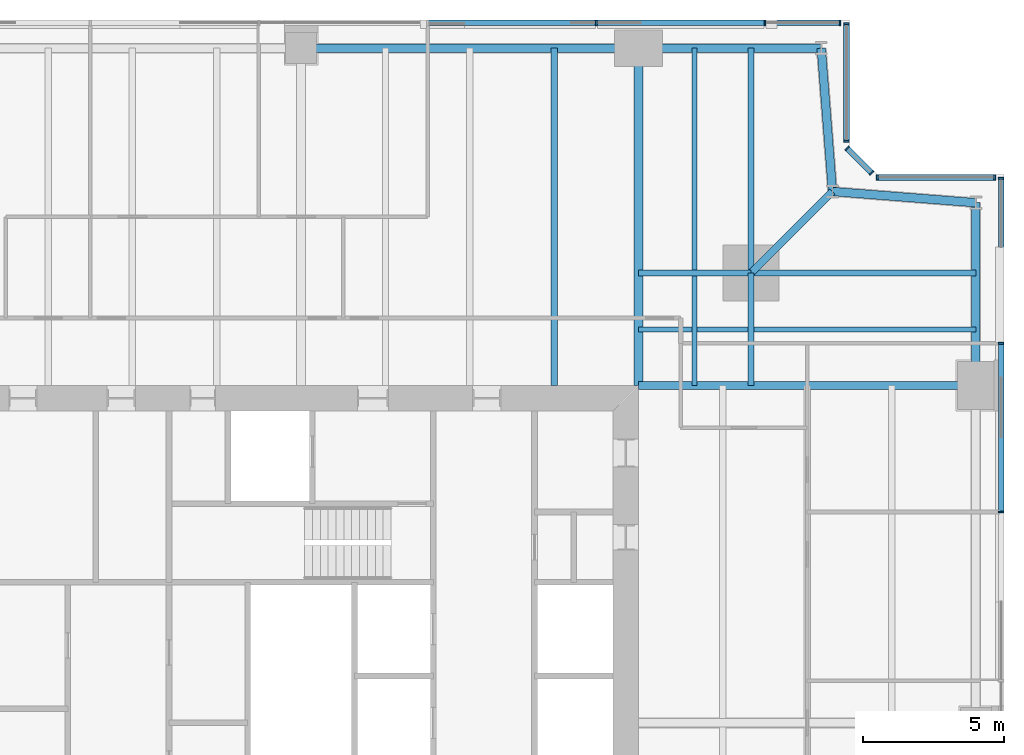
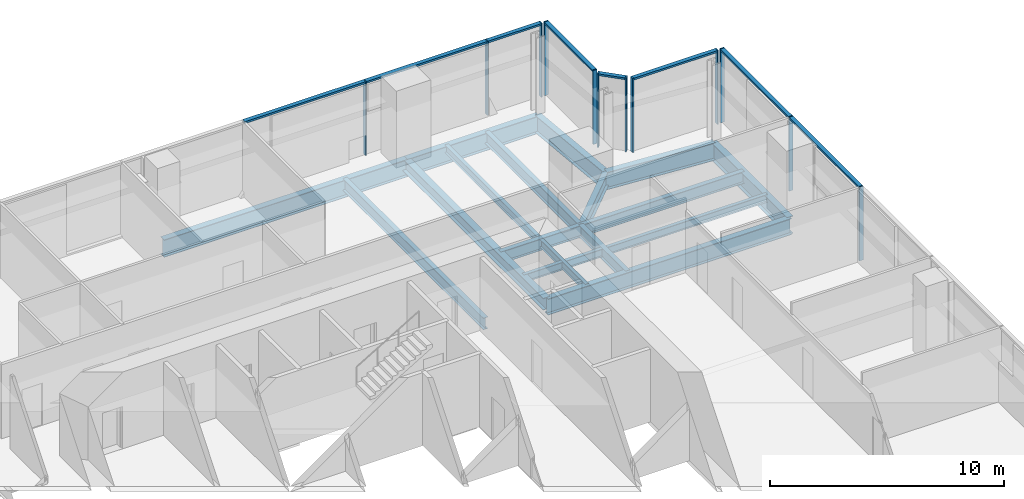
# One storey, part 7 of 14: 20 members, 18 beams, 5 elements without a shape of their own.
"""IFC4 building model written with IfcOpenShell, lengths in metres."""

from ifc_helpers import new_model, si_unit, direction, frame, origin, origin_2d, place, context, subcontext, project, spatial, rectangle, i_section, extrude, material, material_profile, profile_set, type_object, element, aggregate, save


model = new_model("IFC4")

# Units and contexts
model_context = context("Model", 3, precision=1e-05, world=origin(), true_north=direction((0.0, 1.0)))
body_context = subcontext(model_context, "Body", "Model", "MODEL_VIEW")
ifc_project = project(units=[si_unit("LENGTHUNIT", "METRE"), si_unit("AREAUNIT", "SQUARE_METRE"), si_unit("VOLUMEUNIT", "CUBIC_METRE"), si_unit("PLANEANGLEUNIT", "RADIAN"), si_unit("MASSUNIT", "GRAM", prefix="KILO")], contexts=[model_context])

# Site, building, storey
site_placement = place(None, origin())
site = spatial("IfcSite", under=ifc_project, at=site_placement, CompositionType="ELEMENT")
building_placement = place(site_placement, origin())
building = spatial("IfcBuilding", under=site, at=building_placement, Name="Fenwick Lantern Interchange", CompositionType="ELEMENT")
storey_placement = place(building_placement, frame((0.0, 0.0, 225.800048828125)))
storey = spatial("IfcBuildingStorey", under=building, at=storey_placement, Name="L53", CompositionType="ELEMENT", Elevation=225.800048828125)

# Beams
ifc_material_1 = material(Name="Steel ASTM A992 Grade 50", Category="steel")
ifc_material_profile_1 = material_profile(ifc_material_1, i_section(OverallWidth=0.3046875, OverallDepth=0.911865234375, WebThickness=0.015869140625, FlangeThickness=0.02392578125, at=origin_2d()), Name="W36X150")
ifc_profile_set_1 = profile_set([ifc_material_profile_1], Name="Steel ASTM A992 Grade 50")
beam_type_1 = type_object("IfcBeamType", Name="EDGE BEAM W36X150", PredefinedType="SPANDREL", material=ifc_profile_set_1)
beam_1_placement = place(storey_placement, frame((49.0, 37.0, -0.60595703125), z_axis=(0.0, 1.0, 0.0), x_axis=(-1.0, 0.0, 0.0)))
element("IfcBeam", 1, at=beam_1_placement, inside=storey, type_object=beam_type_1, Name="L53/FR/E/EB4", PredefinedType="SPANDREL", context=body_context, shape_type="SweptSolid", body=[
    extrude(i_section(OverallWidth=0.3046875, OverallDepth=0.911865234375, WebThickness=0.015869140625, FlangeThickness=0.02392578125, at=origin_2d()), origin(), (0.0, 0.0, 1.0), 6.5),
])
for number, where, z_axis, x_axis, name in (
    (2, (49.0, 43.5, -0.60595703125), (-0.99693998236, 0.078170784639, 0.0), (-0.078170784639, -0.99693998236, 0.0), "L53/FR/E/EBR1"),
    (3, (43.89990234375, 43.89990234375, -0.60595703125), (-0.078170784639, 0.99693998236, 0.0), (-0.99693998236, -0.078170784639, 0.0), "L53/FR/E/EBR2"),
):
    element("IfcBeam", number, at=place(storey_placement, frame(where, z_axis=z_axis, x_axis=x_axis)), inside=storey, type_object=beam_type_1, Name=name, PredefinedType="SPANDREL", context=body_context, shape_type="SweptSolid", body=[
        extrude(i_section(OverallWidth=0.3046875, OverallDepth=0.911865234375, WebThickness=0.015869140625, FlangeThickness=0.02392578125, at=origin_2d()), origin(), (0.0, 0.0, 1.0), 5.11572265625),
    ])
beam_2_placement = place(storey_placement, frame((43.5, 49.0, -0.60595703125), z_axis=(-1.0, 0.0, 0.0), x_axis=(0.0, -1.0, 0.0)))
element("IfcBeam", 4, at=beam_2_placement, inside=storey, type_object=beam_type_1, Name="L53/FR/N/EB1", PredefinedType="SPANDREL", context=body_context, shape_type="SweptSolid", body=[
    extrude(i_section(OverallWidth=0.3046875, OverallDepth=0.911865234375, WebThickness=0.015869140625, FlangeThickness=0.02392578125, at=origin_2d()), origin(), (0.0, 0.0, 1.0), 6.5),
])
beam_3_placement = place(storey_placement, frame((37.0, 49.0, -0.60595703125), z_axis=(-1.0, 0.0, 0.0), x_axis=(0.0, -1.0, 0.0)))
element("IfcBeam", 5, at=beam_3_placement, inside=storey, type_object=beam_type_1, Name="L53/FR/N/EB2", PredefinedType="SPANDREL", context=body_context, shape_type="SweptSolid", body=[
    extrude(i_section(OverallWidth=0.3046875, OverallDepth=0.911865234375, WebThickness=0.015869140625, FlangeThickness=0.02392578125, at=origin_2d()), origin(), (0.0, 0.0, 1.0), 12.0),
])
ifc_material_profile_2 = material_profile(ifc_material_1, i_section(OverallWidth=0.22900390625, OverallDepth=0.612060546875, WebThickness=0.011962890625, FlangeThickness=0.01953125, at=origin_2d()), Name="W24X84")
ifc_profile_set_2 = profile_set([ifc_material_profile_2], Name="Steel ASTM A992 Grade 50")
beam_type_2 = type_object("IfcBeamType", Name="FLOOR BEAM W24X84", PredefinedType="BEAM", material=ifc_profile_set_2)
beam_4_placement = place(storey_placement, frame((34.0, 49.0, -0.4560546875), z_axis=(0.0, -1.0, 0.0), x_axis=(1.0, 0.0, 0.0)))
element("IfcBeam", 6, at=beam_4_placement, inside=storey, type_object=beam_type_2, Name="L53/FR/N/R02", PredefinedType="BEAM", context=body_context, shape_type="SweptSolid", body=[
    extrude(i_section(OverallWidth=0.22900390625, OverallDepth=0.612060546875, WebThickness=0.011962890625, FlangeThickness=0.01953125, at=origin_2d()), origin(), (0.0, 0.0, 1.0), 12.0),
])
ifc_material_profile_3 = material_profile(ifc_material_1, i_section(OverallWidth=0.177734375, OverallDepth=0.406494140625, WebThickness=0.0078125, FlangeThickness=0.012939453125, at=origin_2d()), Name="W16X40")
ifc_profile_set_3 = profile_set([ifc_material_profile_3], Name="Steel ASTM A992 Grade 50")
beam_type_3 = type_object("IfcBeamType", Name="INFILL BEAM W16X40", PredefinedType="JOIST", material=ifc_profile_set_3)
beam_5_placement = place(storey_placement, frame((39.0, 49.0, -0.353271484375), z_axis=(0.0, -1.0, 0.0), x_axis=(1.0, 0.0, 0.0)))
element("IfcBeam", 7, at=beam_5_placement, inside=storey, type_object=beam_type_3, Name="L53/FR/N/J1", PredefinedType="JOIST", context=body_context, shape_type="SweptSolid", body=[
    extrude(i_section(OverallWidth=0.177734375, OverallDepth=0.406494140625, WebThickness=0.0078125, FlangeThickness=0.012939453125, at=origin_2d()), origin(), (0.0, 0.0, 1.0), 7.885498046875),
])
beam_6_placement = place(storey_placement, frame((39.0, 40.885498046875, -0.353271484375), z_axis=(0.0, -1.0, 0.0), x_axis=(1.0, 0.0, 0.0)))
element("IfcBeam", 8, at=beam_6_placement, inside=storey, type_object=beam_type_3, Name="L53/FR/N/J2", PredefinedType="JOIST", context=body_context, shape_type="SweptSolid", body=[
    extrude(i_section(OverallWidth=0.177734375, OverallDepth=0.406494140625, WebThickness=0.0078125, FlangeThickness=0.012939453125, at=origin_2d()), origin(), (0.0, 0.0, 1.0), 3.885498046875),
])
beam_7_placement = place(storey_placement, frame((49.0, 39.0, -0.353271484375), z_axis=(-1.0, 0.0, 0.0), x_axis=(0.0, -1.0, 0.0)))
element("IfcBeam", 9, at=beam_7_placement, inside=storey, type_object=beam_type_3, Name="L53/FR/N/J3", PredefinedType="JOIST", context=body_context, shape_type="SweptSolid", body=[
    extrude(i_section(OverallWidth=0.177734375, OverallDepth=0.406494140625, WebThickness=0.0078125, FlangeThickness=0.012939453125, at=origin_2d()), origin(), (0.0, 0.0, 1.0), 7.885498046875),
])
beam_8_placement = place(storey_placement, frame((40.885498046875, 39.0, -0.353271484375), z_axis=(-1.0, 0.0, 0.0), x_axis=(0.0, -1.0, 0.0)))
element("IfcBeam", 10, at=beam_8_placement, inside=storey, type_object=beam_type_3, Name="L53/FR/N/J4", PredefinedType="JOIST", context=body_context, shape_type="SweptSolid", body=[
    extrude(i_section(OverallWidth=0.177734375, OverallDepth=0.406494140625, WebThickness=0.0078125, FlangeThickness=0.012939453125, at=origin_2d()), origin(), (0.0, 0.0, 1.0), 1.796630859375),
])
beam_9_placement = place(storey_placement, frame((38.9111328125, 39.0, -0.353271484375), z_axis=(-1.0, 0.0, 0.0), x_axis=(0.0, -1.0, 0.0)))
element("IfcBeam", 11, at=beam_9_placement, inside=storey, type_object=beam_type_3, Name="L53/FR/N/J5", PredefinedType="JOIST", context=body_context, shape_type="SweptSolid", body=[
    extrude(i_section(OverallWidth=0.177734375, OverallDepth=0.406494140625, WebThickness=0.0078125, FlangeThickness=0.012939453125, at=origin_2d()), origin(), (0.0, 0.0, 1.0), 1.9111328125),
])
ifc_material_profile_4 = material_profile(ifc_material_1, i_section(OverallWidth=0.22900390625, OverallDepth=0.612060546875, WebThickness=0.011962890625, FlangeThickness=0.01953125, at=origin_2d()), Name="W24X84")
ifc_profile_set_4 = profile_set([ifc_material_profile_4], Name="Steel ASTM A992 Grade 50")
beam_type_4 = type_object("IfcBeamType", Name="MEGA COLUMN BEAM W24X84", PredefinedType="BEAM", material=ifc_profile_set_4)
for number, where, z_axis, x_axis, name in (
    (12, (41.0, 41.0, -0.4560546875), (0.0, 1.0, 0.0), (-1.0, 0.0, 0.0), "L53/FR/N/MB1"),
    (13, (41.0, 41.0, -0.4560546875), (1.0, 0.0, 0.0), (0.0, 1.0, 0.0), "L53/FR/N/MB2"),
):
    element("IfcBeam", number, at=place(storey_placement, frame(where, z_axis=z_axis, x_axis=x_axis)), inside=storey, type_object=beam_type_4, Name=name, PredefinedType="BEAM", context=body_context, shape_type="SweptSolid", body=[
        extrude(i_section(OverallWidth=0.22900390625, OverallDepth=0.612060546875, WebThickness=0.011962890625, FlangeThickness=0.01953125, at=origin_2d()), origin(), (0.0, 0.0, 1.0), 8.0),
    ])
for number, where, z_axis, x_axis, name in (
    (14, (41.0, 41.0, -0.4560546875), (-1.0, 0.0, 0.0), (0.0, -1.0, 0.0), "L53/FR/N/MB3"),
    (15, (41.0, 41.0, -0.4560546875), (0.0, -1.0, 0.0), (1.0, 0.0, 0.0), "L53/FR/N/MB4"),
):
    element("IfcBeam", number, at=place(storey_placement, frame(where, z_axis=z_axis, x_axis=x_axis)), inside=storey, type_object=beam_type_4, Name=name, PredefinedType="BEAM", context=body_context, shape_type="SweptSolid", body=[
        extrude(i_section(OverallWidth=0.22900390625, OverallDepth=0.612060546875, WebThickness=0.011962890625, FlangeThickness=0.01953125, at=origin_2d()), origin(), (0.0, 0.0, 1.0), 4.0),
    ])
ifc_material_profile_5 = material_profile(ifc_material_1, i_section(OverallWidth=0.32763671875, OverallDepth=0.622314453125, WebThickness=0.015380859375, FlangeThickness=0.0244140625, at=origin_2d()), Name="W24X131")
ifc_profile_set_5 = profile_set([ifc_material_profile_5], Name="Steel ASTM A992 Grade 50")
beam_type_5 = type_object("IfcBeamType", Name="MOMENT-CONNECTED GIRDER W24X131", PredefinedType="BEAM", material=ifc_profile_set_5)
beam_10_placement = place(storey_placement, frame((37.0, 49.0, -0.461181640625), z_axis=(0.0, -1.0, 0.0), x_axis=(1.0, 0.0, 0.0)))
element("IfcBeam", 16, at=beam_10_placement, inside=storey, type_object=beam_type_5, Name="L53/FR/N/R01", PredefinedType="BEAM", context=body_context, shape_type="SweptSolid", body=[
    extrude(i_section(OverallWidth=0.32763671875, OverallDepth=0.622314453125, WebThickness=0.015380859375, FlangeThickness=0.0244140625, at=origin_2d()), origin(), (0.0, 0.0, 1.0), 12.0),
])
ifc_material_profile_6 = material_profile(ifc_material_1, i_section(OverallWidth=0.2919921875, OverallDepth=0.845703125, WebThickness=0.015380859375, FlangeThickness=0.0244140625, at=origin_2d()), Name="W33X141")
ifc_profile_set_6 = profile_set([ifc_material_profile_6], Name="Steel ASTM A992 Grade 50")
beam_type_6 = type_object("IfcBeamType", Name="MOMENT-CONNECTED GIRDER W33X141", PredefinedType="BEAM", material=ifc_profile_set_6)
beam_11_placement = place(storey_placement, frame((49.0, 37.0, -0.572998046875), z_axis=(-1.0, 0.0, 0.0), x_axis=(0.0, -1.0, 0.0)))
element("IfcBeam", 17, at=beam_11_placement, inside=storey, type_object=beam_type_6, Name="L53/FR/E/R03", PredefinedType="BEAM", context=body_context, shape_type="SweptSolid", body=[
    extrude(i_section(OverallWidth=0.2919921875, OverallDepth=0.845703125, WebThickness=0.015380859375, FlangeThickness=0.0244140625, at=origin_2d()), origin(), (0.0, 0.0, 1.0), 12.0),
])
ifc_material_profile_7 = material_profile(ifc_material_1, i_section(OverallWidth=0.2666015625, OverallDepth=0.7568359375, WebThickness=0.013916015625, FlangeThickness=0.019287109375, at=origin_2d()), Name="W30X108")
ifc_profile_set_7 = profile_set([ifc_material_profile_7], Name="Steel ASTM A992 Grade 50")
beam_type_7 = type_object("IfcBeamType", Name="NOTCH BEAM W30X108", PredefinedType="BEAM", material=ifc_profile_set_7)
beam_12_placement = place(storey_placement, frame((41.0, 41.0, -0.528564453125), z_axis=(0.707106781187, 0.707106781187, 0.0), x_axis=(-0.707106781187, 0.707106781187, 0.0)))
element("IfcBeam", 18, at=beam_12_placement, inside=storey, type_object=beam_type_7, Name="L53/FR/N/TG", PredefinedType="BEAM", context=body_context, shape_type="SweptSolid", body=[
    extrude(i_section(OverallWidth=0.2666015625, OverallDepth=0.7568359375, WebThickness=0.013916015625, FlangeThickness=0.019287109375, at=origin_2d()), origin(), (0.0, 0.0, 1.0), 4.10107421875),
])

# Curtain wall, members
ifc_material_2 = material(Name="Aluminium curtain wall frame", Category="aluminium")
curtain_wall_type = type_object("IfcCurtainWallType", Name="OFFICE CURTAIN WALL", PredefinedType="USERDEFINED", material=ifc_material_2)
curtain_wall_1_placement = place(storey_placement, origin())
curtain_wall_1 = element("IfcCurtainWall", 19, at=curtain_wall_1_placement, inside=storey, type_object=curtain_wall_type, Name="Office curtain wall 05", ObjectType="OFFICE CURTAIN WALL", PredefinedType="USERDEFINED")
ifc_material_3 = material(Name="Aluminium extrusion", Category="aluminium")
ifc_material_profile_8 = material_profile(ifc_material_3, rectangle(XDim=0.199951171875, YDim=0.06494140625, at=origin_2d()), Name="OFFICE CURTAIN WALL MULLION 65 X 200")
ifc_profile_set_8 = profile_set([ifc_material_profile_8], Name="Aluminium extrusion")
member_type_1 = type_object("IfcMemberType", Name="OFFICE CURTAIN WALL MULLION 65 X 200", PredefinedType="MULLION", material=ifc_profile_set_8)
member_1_placement = place(storey_placement, frame((49.89990234375, 32.5, 0.0), z_axis=(0.0, 0.0, 1.0), x_axis=(-1.0, 0.0, 0.0)))
member_1 = element("IfcMember", 20, at=member_1_placement, type_object=member_type_1, Name="L53/CW/05/M05", PredefinedType="MULLION", context=body_context, shape_type="SweptSolid", body=[
    extrude(rectangle(XDim=0.199951171875, YDim=0.06494140625, at=origin_2d()), origin(), (0.0, 0.0, 1.0), 3.849853515625),
])
member_2_placement = place(storey_placement, frame((49.89990234375, 38.5, 0.0), z_axis=(0.0, 0.0, 1.0), x_axis=(-1.0, 0.0, 0.0)))
member_2 = element("IfcMember", 21, at=member_2_placement, type_object=member_type_1, Name="L53/CW/05/M06", PredefinedType="MULLION", context=body_context, shape_type="SweptSolid", body=[
    extrude(rectangle(XDim=0.199951171875, YDim=0.06494140625, at=origin_2d()), origin(), (0.0, 0.0, 1.0), 3.849853515625),
])
member_3_placement = place(storey_placement, frame((49.89990234375, 44.367431640625, 0.0), z_axis=(0.0, 0.0, 1.0), x_axis=(-1.0, 0.0, 0.0)))
member_3 = element("IfcMember", 22, at=member_3_placement, type_object=member_type_1, Name="L53/CW/05/M07", PredefinedType="MULLION", context=body_context, shape_type="SweptSolid", body=[
    extrude(rectangle(XDim=0.199951171875, YDim=0.06494140625, at=origin_2d()), origin(), (0.0, 0.0, 1.0), 3.849853515625),
])

curtain_wall_2_placement = place(storey_placement, origin())
curtain_wall_2 = element("IfcCurtainWall", 23, at=curtain_wall_2_placement, inside=storey, type_object=curtain_wall_type, Name="Office curtain wall 06", ObjectType="OFFICE CURTAIN WALL", PredefinedType="USERDEFINED")
member_4_placement = place(storey_placement, frame((49.66748046875, 44.39990234375, 0.0), z_axis=(0.0, 0.0, 1.0), x_axis=(0.0, -1.0, 0.0)))
member_4 = element("IfcMember", 24, at=member_4_placement, type_object=member_type_1, Name="L53/CW/06/M00", PredefinedType="MULLION", context=body_context, shape_type="SweptSolid", body=[
    extrude(rectangle(XDim=0.199951171875, YDim=0.06494140625, at=origin_2d()), origin(), (0.0, 0.0, 1.0), 3.849853515625),
])
member_5_placement = place(storey_placement, frame((45.490966796875, 44.39990234375, 0.0), z_axis=(0.0, 0.0, 1.0), x_axis=(0.0, -1.0, 0.0)))
member_5 = element("IfcMember", 25, at=member_5_placement, type_object=member_type_1, Name="L53/CW/06/M01", PredefinedType="MULLION", context=body_context, shape_type="SweptSolid", body=[
    extrude(rectangle(XDim=0.199951171875, YDim=0.06494140625, at=origin_2d()), origin(), (0.0, 0.0, 1.0), 3.849853515625),
])

curtain_wall_3_placement = place(storey_placement, origin())
curtain_wall_3 = element("IfcCurtainWall", 26, at=curtain_wall_3_placement, inside=storey, type_object=curtain_wall_type, Name="Office curtain wall 07", ObjectType="OFFICE CURTAIN WALL", PredefinedType="USERDEFINED")
member_6_placement = place(storey_placement, frame((45.294189453125, 44.564453125, 0.0), z_axis=(0.0, 0.0, 1.0), x_axis=(-0.707106781187, -0.707106781187, 0.0)))
member_6 = element("IfcMember", 27, at=member_6_placement, type_object=member_type_1, Name="L53/CW/07/M00", PredefinedType="MULLION", context=body_context, shape_type="SweptSolid", body=[
    extrude(rectangle(XDim=0.199951171875, YDim=0.06494140625, at=origin_2d()), origin(), (0.0, 0.0, 1.0), 3.849853515625),
])
member_7_placement = place(storey_placement, frame((44.423095703125, 45.435546875, 0.0), z_axis=(0.0, 0.0, 1.0), x_axis=(-0.707106781187, -0.707106781187, 0.0)))
member_7 = element("IfcMember", 28, at=member_7_placement, type_object=member_type_1, Name="L53/CW/07/M01", PredefinedType="MULLION", context=body_context, shape_type="SweptSolid", body=[
    extrude(rectangle(XDim=0.199951171875, YDim=0.06494140625, at=origin_2d()), origin(), (0.0, 0.0, 1.0), 3.849853515625),
])

curtain_wall_4_placement = place(storey_placement, origin())
curtain_wall_4 = element("IfcCurtainWall", 29, at=curtain_wall_4_placement, inside=storey, type_object=curtain_wall_type, Name="Office curtain wall 08", ObjectType="OFFICE CURTAIN WALL", PredefinedType="USERDEFINED")
member_8_placement = place(storey_placement, frame((44.39990234375, 45.691162109375, 0.0), z_axis=(0.0, 0.0, 1.0), x_axis=(-1.0, 0.0, 0.0)))
member_8 = element("IfcMember", 30, at=member_8_placement, type_object=member_type_1, Name="L53/CW/08/M00", PredefinedType="MULLION", context=body_context, shape_type="SweptSolid", body=[
    extrude(rectangle(XDim=0.199951171875, YDim=0.06494140625, at=origin_2d()), origin(), (0.0, 0.0, 1.0), 3.849853515625),
])
member_9_placement = place(storey_placement, frame((44.39990234375, 49.867431640625, 0.0), z_axis=(0.0, 0.0, 1.0), x_axis=(-1.0, 0.0, 0.0)))
member_9 = element("IfcMember", 31, at=member_9_placement, type_object=member_type_1, Name="L53/CW/08/M01", PredefinedType="MULLION", context=body_context, shape_type="SweptSolid", body=[
    extrude(rectangle(XDim=0.199951171875, YDim=0.06494140625, at=origin_2d()), origin(), (0.0, 0.0, 1.0), 3.849853515625),
])

curtain_wall_5_placement = place(storey_placement, origin())
curtain_wall_5 = element("IfcCurtainWall", 32, at=curtain_wall_5_placement, inside=storey, type_object=curtain_wall_type, Name="Office curtain wall 09", ObjectType="OFFICE CURTAIN WALL", PredefinedType="USERDEFINED")
member_10_placement = place(storey_placement, frame((44.16748046875, 49.89990234375, 0.0), z_axis=(0.0, 0.0, 1.0), x_axis=(0.0, -1.0, 0.0)))
member_10 = element("IfcMember", 33, at=member_10_placement, type_object=member_type_1, Name="L53/CW/09/M00", PredefinedType="MULLION", context=body_context, shape_type="SweptSolid", body=[
    extrude(rectangle(XDim=0.199951171875, YDim=0.06494140625, at=origin_2d()), origin(), (0.0, 0.0, 1.0), 3.849853515625),
])
member_11_placement = place(storey_placement, frame((41.5, 49.89990234375, 0.0), z_axis=(0.0, 0.0, 1.0), x_axis=(0.0, -1.0, 0.0)))
member_11 = element("IfcMember", 34, at=member_11_placement, type_object=member_type_1, Name="L53/CW/09/M01", PredefinedType="MULLION", context=body_context, shape_type="SweptSolid", body=[
    extrude(rectangle(XDim=0.199951171875, YDim=0.06494140625, at=origin_2d()), origin(), (0.0, 0.0, 1.0), 3.849853515625),
])
member_12_placement = place(storey_placement, frame((35.5, 49.89990234375, 0.0), z_axis=(0.0, 0.0, 1.0), x_axis=(0.0, -1.0, 0.0)))
member_12 = element("IfcMember", 35, at=member_12_placement, type_object=member_type_1, Name="L53/CW/09/M02", PredefinedType="MULLION", context=body_context, shape_type="SweptSolid", body=[
    extrude(rectangle(XDim=0.199951171875, YDim=0.06494140625, at=origin_2d()), origin(), (0.0, 0.0, 1.0), 3.849853515625),
])

# Member
ifc_material_profile_9 = material_profile(ifc_material_3, rectangle(XDim=0.199951171875, YDim=0.10009765625, at=origin_2d()), Name="OFFICE CURTAIN WALL TRANSOM 100 X 200")
ifc_profile_set_9 = profile_set([ifc_material_profile_9], Name="Aluminium extrusion")
member_type_2 = type_object("IfcMemberType", Name="OFFICE CURTAIN WALL TRANSOM 100 X 200", PredefinedType="MULLION", material=ifc_profile_set_9)
member_13_placement = place(storey_placement, frame((49.89990234375, 32.532470703125, 3.800048828125), z_axis=(0.0, 1.0, 0.0), x_axis=(-1.0, 0.0, 0.0)))
member_13 = element("IfcMember", 36, at=member_13_placement, type_object=member_type_2, Name="L53/CW/05/T05", PredefinedType="MULLION", context=body_context, shape_type="SweptSolid", body=[
    extrude(rectangle(XDim=0.199951171875, YDim=0.10009765625, at=origin_2d()), origin(), (0.0, 0.0, 1.0), 5.93505859375),
])

member_14_placement = place(storey_placement, frame((49.89990234375, 38.532470703125, 3.800048828125), z_axis=(0.0, 1.0, 0.0), x_axis=(-1.0, 0.0, 0.0)))
member_14 = element("IfcMember", 37, at=member_14_placement, type_object=member_type_2, Name="L53/CW/05/T06", PredefinedType="MULLION", context=body_context, shape_type="SweptSolid", body=[
    extrude(rectangle(XDim=0.199951171875, YDim=0.10009765625, at=origin_2d()), origin(), (0.0, 0.0, 1.0), 5.802490234375),
])

aggregate(curtain_wall_1, [member_1, member_2, member_3, member_13, member_14])

member_15_placement = place(storey_placement, frame((49.635009765625, 44.39990234375, 3.800048828125), z_axis=(-1.0, 0.0, 0.0), x_axis=(0.0, -1.0, 0.0)))
member_15 = element("IfcMember", 38, at=member_15_placement, type_object=member_type_2, Name="L53/CW/06/T00", PredefinedType="MULLION", context=body_context, shape_type="SweptSolid", body=[
    extrude(rectangle(XDim=0.199951171875, YDim=0.10009765625, at=origin_2d()), origin(), (0.0, 0.0, 1.0), 4.111328125),
])

aggregate(curtain_wall_2, [member_4, member_5, member_15])

member_16_placement = place(storey_placement, frame((45.271240234375, 44.58740234375, 3.800048828125), z_axis=(-0.707106781187, 0.707106781187, 0.0), x_axis=(-0.707106781187, -0.707106781187, 0.0)))
member_16 = element("IfcMember", 39, at=member_16_placement, type_object=member_type_2, Name="L53/CW/07/T00", PredefinedType="MULLION", context=body_context, shape_type="SweptSolid", body=[
    extrude(rectangle(XDim=0.199951171875, YDim=0.10009765625, at=origin_2d()), origin(), (0.0, 0.0, 1.0), 1.1669921875),
])

aggregate(curtain_wall_3, [member_6, member_7, member_16])

member_17_placement = place(storey_placement, frame((44.39990234375, 45.7236328125, 3.800048828125), z_axis=(0.0, 1.0, 0.0), x_axis=(-1.0, 0.0, 0.0)))
member_17 = element("IfcMember", 40, at=member_17_placement, type_object=member_type_2, Name="L53/CW/08/T00", PredefinedType="MULLION", context=body_context, shape_type="SweptSolid", body=[
    extrude(rectangle(XDim=0.199951171875, YDim=0.10009765625, at=origin_2d()), origin(), (0.0, 0.0, 1.0), 4.111328125),
])

aggregate(curtain_wall_4, [member_8, member_9, member_17])

member_18_placement = place(storey_placement, frame((44.135009765625, 49.89990234375, 3.800048828125), z_axis=(-1.0, 0.0, 0.0), x_axis=(0.0, -1.0, 0.0)))
member_18 = element("IfcMember", 41, at=member_18_placement, type_object=member_type_2, Name="L53/CW/09/T00", PredefinedType="MULLION", context=body_context, shape_type="SweptSolid", body=[
    extrude(rectangle(XDim=0.199951171875, YDim=0.10009765625, at=origin_2d()), origin(), (0.0, 0.0, 1.0), 2.6025390625),
])

member_19_placement = place(storey_placement, frame((41.467529296875, 49.89990234375, 3.800048828125), z_axis=(-1.0, 0.0, 0.0), x_axis=(0.0, -1.0, 0.0)))
member_19 = element("IfcMember", 42, at=member_19_placement, type_object=member_type_2, Name="L53/CW/09/T01", PredefinedType="MULLION", context=body_context, shape_type="SweptSolid", body=[
    extrude(rectangle(XDim=0.199951171875, YDim=0.10009765625, at=origin_2d()), origin(), (0.0, 0.0, 1.0), 5.93505859375),
])

member_20_placement = place(storey_placement, frame((35.467529296875, 49.89990234375, 3.800048828125), z_axis=(-1.0, 0.0, 0.0), x_axis=(0.0, -1.0, 0.0)))
member_20 = element("IfcMember", 43, at=member_20_placement, type_object=member_type_2, Name="L53/CW/09/T02", PredefinedType="MULLION", context=body_context, shape_type="SweptSolid", body=[
    extrude(rectangle(XDim=0.199951171875, YDim=0.10009765625, at=origin_2d()), origin(), (0.0, 0.0, 1.0), 5.93505859375),
])

aggregate(curtain_wall_5, [member_10, member_11, member_12, member_18, member_19, member_20])

save(model, "model.ifc")
